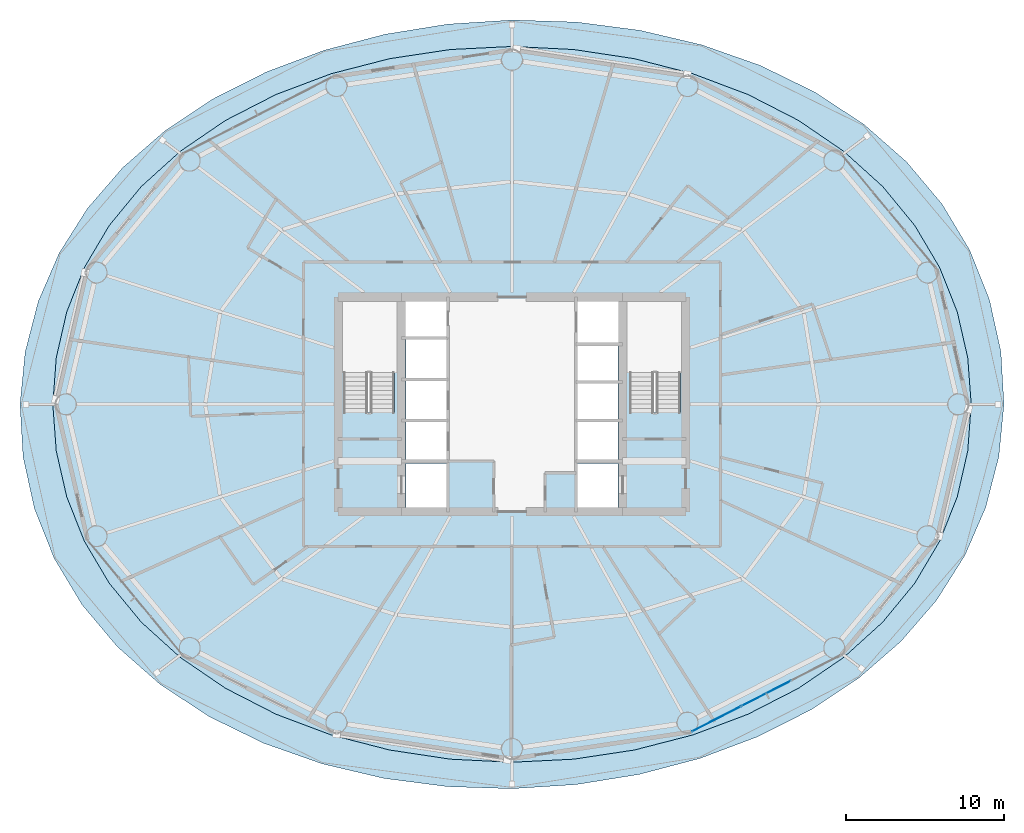
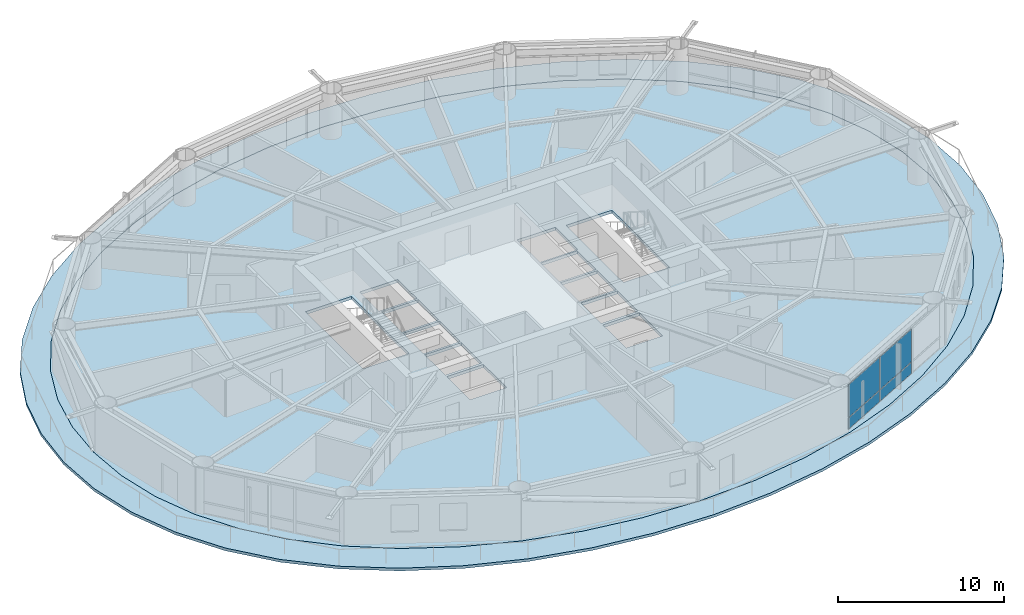
# One storey, part 15 of 24: 4 plates, 2 slabs, 1 element without a shape of its own.
"""IFC4 building model written with IfcOpenShell, lengths in metres."""

import ifcopenshell
import ifcopenshell.guid

model = None  # the IFC model being written
_history = None  # IfcOwnerHistory: only IFC2X3 demands one
_inside = {}  # id of a spatial element -> (the spatial element, [elements in it])
_under = {}  # id of a project, library or spatial element -> (it, [spatial elements below it])
_declared = {}  # id of a project -> (the project, [libraries it declares])
_typed = {}  # id of a type object -> (the type object, [elements of that type])
_made_of = {}  # id of a material, layer set ... -> (it, [elements and type objects made of it])


def new_model(schema):
    """Start an empty IFC model of exactly this schema.

    Asked for "IFC4X3", IfcOpenShell would pick the latest addendum, in which some entities
    have other attributes; the version numbers below select the first issue.
    IFC2X3 requires an IfcOwnerHistory on every rooted entity: one is made here for all.
    """
    global model, _history
    if schema == "IFC4X3":
        model = ifcopenshell.file(schema_version=(4, 3, 0, 0))
    else:
        model = ifcopenshell.file(schema=schema)
    _inside.clear()
    _under.clear()
    _declared.clear()
    _typed.clear()
    _made_of.clear()
    _history = None
    if model.schema == "IFC2X3":
        org = make("IfcOrganization", Name="unknown")
        user = make(
            "IfcPersonAndOrganization",
            ThePerson=make("IfcPerson", FamilyName="unknown"),
            TheOrganization=org,
        )
        app = make(
            "IfcApplication",
            ApplicationDeveloper=org,
            Version="unknown",
            ApplicationFullName="unknown",
            ApplicationIdentifier="unknown",
        )
        _history = make(
            "IfcOwnerHistory",
            OwningUser=user,
            OwningApplication=app,
            ChangeAction="ADDED",
            CreationDate=0,
        )
    return model


def make(cls, **values):
    """One entity of the class cls with the attributes given. An attribute that is None is left unset."""
    return model.create_entity(
        cls, **{name: value for name, value in values.items() if value is not None}
    )


def rooted(cls, **values):
    """An entity with a GlobalId (a new one), such as an element, a storey or a relation."""
    return make(cls, GlobalId=ifcopenshell.guid.new(), OwnerHistory=_history, **values)


def si_unit(unit_type, name, prefix=None):
    """IfcSIUnit, for example si_unit("LENGTHUNIT", "METRE", prefix="MILLI")."""
    return make("IfcSIUnit", UnitType=unit_type, Prefix=prefix, Name=name)


def assignment(units):
    """IfcUnitAssignment: the units of a project."""
    return None if units is None else make("IfcUnitAssignment", Units=units)


def point(xyz):
    """IfcCartesianPoint."""
    return None if xyz is None else make("IfcCartesianPoint", Coordinates=xyz)


def direction(xyz):
    """IfcDirection."""
    return None if xyz is None else make("IfcDirection", DirectionRatios=xyz)


def frame(location, z_axis=None, x_axis=None):
    """IfcAxis2Placement3D, a coordinate frame: its origin and axes. An axis left out is left unset."""
    return make(
        "IfcAxis2Placement3D",
        Location=point(location),
        Axis=direction(z_axis),
        RefDirection=direction(x_axis),
    )


def frame_2d(location, x_axis=None):
    """IfcAxis2Placement2D, a coordinate frame in the plane: its origin and x axis."""
    return make(
        "IfcAxis2Placement2D", Location=point(location), RefDirection=direction(x_axis)
    )


def origin():
    """The frame at (0, 0, 0) with its axes left unset."""
    return frame((0.0, 0.0, 0.0))


def origin_2d():
    """The frame at (0, 0) in the plane with its x axis left unset."""
    return frame_2d((0.0, 0.0))


def place(relative_to, where):
    """IfcLocalPlacement: puts the frame where relative to a parent placement (None: the world)."""
    return make(
        "IfcLocalPlacement", PlacementRelTo=relative_to, RelativePlacement=where
    )


def context(
    kind, dimensions, precision=None, world=None, true_north=None, identifier=None
):
    """IfcGeometricRepresentationContext, for example the 3D "Model" context."""
    return make(
        "IfcGeometricRepresentationContext",
        ContextIdentifier=identifier,
        ContextType=kind,
        CoordinateSpaceDimension=dimensions,
        Precision=precision,
        WorldCoordinateSystem=world,
        TrueNorth=true_north,
    )


def subcontext(parent, identifier, kind, view, scale=None):
    """IfcGeometricRepresentationSubContext, for example "Body" below "Model"."""
    return make(
        "IfcGeometricRepresentationSubContext",
        ContextIdentifier=identifier,
        ContextType=kind,
        ParentContext=parent,
        TargetScale=scale,
        TargetView=view,
    )


def project(units=None, contexts=None):
    """IfcProject with its units and contexts."""
    return rooted(
        "IfcProject",
        Name="project",
        RepresentationContexts=contexts,
        UnitsInContext=assignment(units),
    )


def spatial(cls, under=None, at=None, **own):
    """A site, building, storey or space (cls), placed at a placement, below another one or the project."""
    s = rooted(cls, ObjectPlacement=at, **own)
    if under is not None:
        _under.setdefault(under.id(), (under, []))[1].append(s)
    return s


def polyline(points):
    """IfcPolyline through the points."""
    return make("IfcPolyline", Points=[point(p) for p in points])


def profile(cls, at=None, kind="AREA", **sizes):
    """A parametric profile (cls). Its sizes go by their IFC names, for example OverallWidth=200.0."""
    return make(cls, ProfileType=kind, Position=at, **sizes)


def rectangle(**sizes):
    """IfcRectangleProfileDef."""
    return profile("IfcRectangleProfileDef", **sizes)


def outline(outer, holes=None, kind="AREA"):
    """IfcArbitraryClosedProfileDef: a profile drawn as a closed curve; with holes, ...WithVoids."""
    if holes is None:
        return make("IfcArbitraryClosedProfileDef", ProfileType=kind, OuterCurve=outer)
    return make(
        "IfcArbitraryProfileDefWithVoids",
        ProfileType=kind,
        OuterCurve=outer,
        InnerCurves=holes,
    )


def extrude(swept, where, along, depth):
    """IfcExtrudedAreaSolid: the profile swept, set in the frame where, extruded along a direction by depth."""
    return make(
        "IfcExtrudedAreaSolid",
        SweptArea=swept,
        Position=where,
        ExtrudedDirection=direction(along),
        Depth=depth,
    )


def shape(context_of_items, identifier, shape_type, items):
    """IfcShapeRepresentation: the items that make up one representation, for example the "Body"."""
    return make(
        "IfcShapeRepresentation",
        ContextOfItems=context_of_items,
        RepresentationIdentifier=identifier,
        RepresentationType=shape_type,
        Items=items,
    )


def material(Name=None, Category=None):
    """IfcMaterial."""
    return make("IfcMaterial", Name=Name, Category=Category)


def layer(
    of_material, thickness, ventilated=None, Name=None, Category=None, Priority=None
):
    """IfcMaterialLayer: one layer of a wall or slab, of a material (None: an air gap)."""
    return make(
        "IfcMaterialLayer",
        Material=of_material,
        LayerThickness=thickness,
        IsVentilated=ventilated,
        Name=Name,
        Category=Category,
        Priority=Priority,
    )


def layer_set(layers, Name=None):
    """IfcMaterialLayerSet."""
    return make("IfcMaterialLayerSet", MaterialLayers=layers, LayerSetName=Name)


def made_of(thing, what):
    """Note that an element or type object is made of a material, layer set ...; save() writes the relation."""
    if what is not None:
        _made_of.setdefault(what.id(), (what, []))[1].append(thing)
    return thing


def type_object(cls, material=None, **own):
    """A type object (cls), such as IfcWallType, which elements share."""
    return made_of(rooted(cls, **own), material)


def element(
    cls,
    number,
    at=None,
    inside=None,
    cuts=None,
    type_object=None,
    material=None,
    context=None,
    identifier="Body",
    shape_type=None,
    held_by="IfcProductDefinitionShape",
    body=None,
    shapes=None,
    **own,
):
    """One element of the class cls, such as IfcWall. Its Tag is "e" and its number.

    at: its placement. inside: the storey or other place that contains it. cuts: it is an
    opening in that element (IfcRelVoidsElement). A single representation is given by context,
    identifier, shape_type and body (its items); several are given by shapes. held_by: the class
    of the entity that holds the representations. save() writes the other relations.
    """
    e = rooted(cls, Tag="e%d" % number, ObjectPlacement=at, **own)
    if body is not None:
        shapes = [shape(context, identifier, shape_type, body)]
    if shapes is not None:
        e.Representation = make(held_by, Representations=shapes)
    if inside is not None:
        _inside.setdefault(inside.id(), (inside, []))[1].append(e)
    if cuts is not None:
        rooted(
            "IfcRelVoidsElement", RelatingBuildingElement=cuts, RelatedOpeningElement=e
        )
    if type_object is not None:
        _typed.setdefault(type_object.id(), (type_object, []))[1].append(e)
    return made_of(e, material)


def aggregate(whole, parts):
    """IfcRelAggregates: a whole, such as a stair, and the parts it consists of."""
    return rooted("IfcRelAggregates", RelatingObject=whole, RelatedObjects=parts)


def save(model, path):
    """Write the relations noted so far, then the file.

    IfcRelAggregates (storeys below a building ...), IfcRelContainedInSpatialStructure (elements
    in a storey), IfcRelDefinesByType, IfcRelAssociatesMaterial and IfcRelDeclares: one each for
    every whole, place, type object, material and project.
    """
    for whole, parts in _under.values():
        aggregate(whole, parts)
    for where, things in _inside.values():
        rooted(
            "IfcRelContainedInSpatialStructure",
            RelatedElements=things,
            RelatingStructure=where,
        )
    for kind, things in _typed.values():
        rooted("IfcRelDefinesByType", RelatedObjects=things, RelatingType=kind)
    for what, things in _made_of.values():
        rooted("IfcRelAssociatesMaterial", RelatedObjects=things, RelatingMaterial=what)
    for by, libraries in _declared.values():
        rooted("IfcRelDeclares", RelatingContext=by, RelatedDefinitions=libraries)
    model.write(path)


model = new_model("IFC4")

# Units and contexts
model_context = context("Model", 3, precision=1e-05, world=origin(), true_north=direction((0.0, 1.0)))
body_context = subcontext(model_context, "Body", "Model", "MODEL_VIEW")
ifc_project = project(units=[si_unit("LENGTHUNIT", "METRE"), si_unit("AREAUNIT", "SQUARE_METRE"), si_unit("VOLUMEUNIT", "CUBIC_METRE"), si_unit("PLANEANGLEUNIT", "RADIAN"), si_unit("MASSUNIT", "GRAM", prefix="KILO")], contexts=[model_context])

# Site, building, storey
site_placement = place(None, origin())
site = spatial("IfcSite", under=ifc_project, at=site_placement, CompositionType="ELEMENT")
building_placement = place(site_placement, origin())
building = spatial("IfcBuilding", under=site, at=building_placement, Name="Sarneth Arch Tower", CompositionType="ELEMENT")
storey_placement = place(building_placement, frame((0.0, 0.0, 123.60009765625)))
storey = spatial("IfcBuildingStorey", under=building, at=storey_placement, Name="L31", CompositionType="ELEMENT", Elevation=123.60009765625)

# Curtain wall, plates
ifc_material_1 = material(Name="Anodised aluminium Type AA25 and solar-control low-e laminated IGU", Category="aluminium")
ifc_layer_1 = layer(ifc_material_1, 0.159912109375)
ifc_layer_set_1 = layer_set([ifc_layer_1], Name="Anodised aluminium Type AA25 and solar-control low-e laminated IGU")
curtain_wall_type = type_object("IfcCurtainWallType", Name="CW-HOTEL-MID", PredefinedType="NOTDEFINED", material=ifc_layer_set_1)
curtain_wall_placement = place(storey_placement, origin())
curtain_wall = element("IfcCurtainWall", 1, at=curtain_wall_placement, inside=storey, type_object=curtain_wall_type, Name="L31 Unitised curtain wall facet 14", PredefinedType="NOTDEFINED")
ifc_material_2 = material(Name="Solar-control low-e laminated IGU", Category="glass")
ifc_layer_2 = layer(ifc_material_2, 0.028076171875)
ifc_layer_set_2 = layer_set([ifc_layer_2], Name="Solar-control low-e laminated IGU")
plate_type = type_object("IfcPlateType", Name="CW-PANEL", PredefinedType="CURTAIN_PANEL", material=ifc_layer_set_2)
plate_1_placement = place(storey_placement, frame((60.946044921875, 22.094482421875, 0.059814453125), z_axis=(0.0, 0.0, 1.0), x_axis=(0.889963703649, 0.456031365356, 0.0)))
plate_1 = element("IfcPlate", 2, at=plate_1_placement, type_object=plate_type, Name="Curtain wall glazed vision pane CW-L31-F14/P00-00", PredefinedType="CURTAIN_PANEL", context=body_context, shape_type="SweptSolid", body=[
    extrude(rectangle(XDim=3.464111328125, YDim=0.028076171875, at=origin_2d()), origin(), (0.0, 0.0, 1.0), 0.81005859375),
])
plate_2_placement = place(storey_placement, frame((60.946044921875, 22.094482421875, 0.93017578125), z_axis=(0.0, 0.0, 1.0), x_axis=(0.889963703649, 0.456031365356, 0.0)))
plate_2 = element("IfcPlate", 3, at=plate_2_placement, type_object=plate_type, Name="Curtain wall glazed vision pane CW-L31-F14/P00-01", PredefinedType="CURTAIN_PANEL", context=body_context, shape_type="SweptSolid", body=[
    extrude(rectangle(XDim=3.464111328125, YDim=0.028076171875, at=origin_2d()), origin(), (0.0, 0.0, 1.0), 2.389892578125),
])
plate_3_placement = place(storey_placement, frame((64.095703125, 23.70849609375, 0.059814453125), z_axis=(0.0, 0.0, 1.0), x_axis=(0.889963703649, 0.456031365356, 0.0)))
plate_3 = element("IfcPlate", 4, at=plate_3_placement, type_object=plate_type, Name="Curtain wall glazed vision pane CW-L31-F14/P01-00", PredefinedType="CURTAIN_PANEL", context=body_context, shape_type="SweptSolid", body=[
    extrude(rectangle(XDim=3.493896484375, YDim=0.028076171875, at=origin_2d()), origin(), (0.0, 0.0, 1.0), 0.81005859375),
])
plate_4_placement = place(storey_placement, frame((64.095703125, 23.70849609375, 0.93017578125), z_axis=(0.0, 0.0, 1.0), x_axis=(0.889963703649, 0.456031365356, 0.0)))
plate_4 = element("IfcPlate", 5, at=plate_4_placement, type_object=plate_type, Name="Curtain wall glazed vision pane CW-L31-F14/P01-01", PredefinedType="CURTAIN_PANEL", context=body_context, shape_type="SweptSolid", body=[
    extrude(rectangle(XDim=3.493896484375, YDim=0.028076171875, at=origin_2d()), origin(), (0.0, 0.0, 1.0), 2.389892578125),
])
aggregate(curtain_wall, [plate_1, plate_2, plate_3, plate_4])

# Slabs
ifc_material_3 = material(Name="Concrete C50/60", Category="concrete")
ifc_layer_3 = layer(ifc_material_3, 0.199951171875)
ifc_layer_set_3 = layer_set([ifc_layer_3], Name="Concrete C50/60")
slab_type_1 = type_object("IfcSlabType", Name="SLAB-BALC-200", PredefinedType="FLOOR", material=ifc_layer_set_3)
slab_1_placement = place(storey_placement, frame((0.0, 0.0, -0.2001953125)))
element("IfcSlab", 6, at=slab_1_placement, inside=storey, type_object=slab_type_1, Name="L31 Helical balcony band slab", PredefinedType="FLOOR", context=body_context, shape_type="SweptSolid", body=[
    extrude(outline(polyline([(79.137939453125, 42.0), (78.943603515625, 45.331787109375), (78.22314453125, 48.60400390625), (76.979248046875, 51.73876953125), (75.223388671875, 54.669921875), (72.97705078125, 57.34423828125), (70.275634765625, 59.718994140625), (67.16943359375, 61.76123046875), (63.722900390625, 63.4453125), (60.00830078125, 64.752685546875), (56.1015625, 65.67138671875), (52.076171875, 66.195556640625), (48.0, 66.324951171875), (43.93701171875, 66.063720703125), (39.94921875, 65.42041015625), (36.10009765625, 64.4072265625), (32.45458984375, 63.038818359375), (29.078369140625, 61.333251953125), (26.0322265625, 59.309814453125), (23.36865234375, 56.990234375), (21.12744140625, 54.3984375), (19.3369140625, 51.562255859375), (18.017578125, 48.516845703125), (17.18701171875, 45.308349609375), (16.862060546875, 42.0), (17.056396484375, 38.668212890625), (17.77685546875, 35.39599609375), (19.020751953125, 32.26123046875), (20.776611328125, 29.330078125), (23.02294921875, 26.65576171875), (25.724365234375, 24.281005859375), (28.83056640625, 22.23876953125), (32.277099609375, 20.5546875), (35.99169921875, 19.247314453125), (39.8984375, 18.32861328125), (43.923828125, 17.804443359375), (48.0, 17.675048828125), (52.06298828125, 17.936279296875), (56.05078125, 18.57958984375), (59.89990234375, 19.5927734375), (63.54541015625, 20.961181640625), (66.921630859375, 22.666748046875), (69.9677734375, 24.690185546875), (72.63134765625, 27.009765625), (74.87255859375, 29.6015625), (76.6630859375, 32.437744140625), (77.982421875, 35.483154296875), (78.81298828125, 38.691650390625), (79.137939453125, 42.0)]), holes=[polyline([(77.062744140625, 42.0), (76.84228515625, 44.956298828125), (76.17724609375, 47.8623046875), (75.060546875, 50.667724609375), (73.486328125, 53.324951171875), (71.458251953125, 55.788330078125), (68.994384765625, 58.015869140625), (66.132080078125, 59.969482421875), (62.923828125, 61.615478515625), (59.435302734375, 62.92578125), (55.73779296875, 63.878173828125), (51.902587890625, 64.456298828125), (48.0, 64.64990234375), (44.097412109375, 64.456298828125), (40.26220703125, 63.878173828125), (36.564697265625, 62.92578125), (33.076171875, 61.615478515625), (29.867919921875, 59.969482421875), (27.005615234375, 58.015869140625), (24.541748046875, 55.788330078125), (22.513671875, 53.324951171875), (20.939453125, 50.667724609375), (19.82275390625, 47.8623046875), (19.15771484375, 44.956298828125), (18.937255859375, 42.0), (19.15771484375, 39.043701171875), (19.82275390625, 36.1376953125), (20.939453125, 33.332275390625), (22.513671875, 30.675048828125), (24.541748046875, 28.211669921875), (27.005615234375, 25.984130859375), (29.867919921875, 24.030517578125), (33.076171875, 22.384521484375), (36.564697265625, 21.07421875), (40.26220703125, 20.121826171875), (44.097412109375, 19.543701171875), (48.0, 19.35009765625), (51.902587890625, 19.543701171875), (55.73779296875, 20.121826171875), (59.435302734375, 21.07421875), (62.923828125, 22.384521484375), (66.132080078125, 24.030517578125), (68.994384765625, 25.984130859375), (71.458251953125, 28.211669921875), (73.486328125, 30.675048828125), (75.060546875, 33.332275390625), (76.17724609375, 36.1376953125), (76.84228515625, 39.043701171875), (77.062744140625, 42.0)])]), origin(), (0.0, 0.0, 1.0), 0.2001953125),
])
ifc_material_4 = material(Name="Concrete C50/60", Category="concrete")
ifc_layer_4 = layer(ifc_material_4, 0.219970703125)
ifc_layer_set_4 = layer_set([ifc_layer_4], Name="Concrete C50/60")
slab_type_2 = type_object("IfcSlabType", Name="SLAB-TOWER-220", PredefinedType="FLOOR", material=ifc_layer_set_4)
slab_2_placement = place(storey_placement, frame((0.0, 0.0, -0.22021484375)))
element("IfcSlab", 7, at=slab_2_placement, inside=storey, type_object=slab_type_2, Name="L31 Elliptical floor slab", PredefinedType="FLOOR", context=body_context, shape_type="SweptSolid", body=[
    extrude(outline(polyline([(77.062744140625, 42.0), (76.84228515625, 44.956298828125), (76.17724609375, 47.8623046875), (75.060546875, 50.667724609375), (73.486328125, 53.324951171875), (71.458251953125, 55.788330078125), (68.994384765625, 58.015869140625), (66.132080078125, 59.969482421875), (62.923828125, 61.615478515625), (59.435302734375, 62.92578125), (55.73779296875, 63.878173828125), (51.902587890625, 64.456298828125), (48.0, 64.64990234375), (44.097412109375, 64.456298828125), (40.26220703125, 63.878173828125), (36.564697265625, 62.92578125), (33.076171875, 61.615478515625), (29.867919921875, 59.969482421875), (27.005615234375, 58.015869140625), (24.541748046875, 55.788330078125), (22.513671875, 53.324951171875), (20.939453125, 50.667724609375), (19.82275390625, 47.8623046875), (19.15771484375, 44.956298828125), (18.937255859375, 42.0), (19.15771484375, 39.043701171875), (19.82275390625, 36.1376953125), (20.939453125, 33.332275390625), (22.513671875, 30.675048828125), (24.541748046875, 28.211669921875), (27.005615234375, 25.984130859375), (29.867919921875, 24.030517578125), (33.076171875, 22.384521484375), (36.564697265625, 21.07421875), (40.26220703125, 20.121826171875), (44.097412109375, 19.543701171875), (48.0, 19.35009765625), (51.902587890625, 19.543701171875), (55.73779296875, 20.121826171875), (59.435302734375, 21.07421875), (62.923828125, 22.384521484375), (66.132080078125, 24.030517578125), (68.994384765625, 25.984130859375), (71.458251953125, 28.211669921875), (73.486328125, 30.675048828125), (75.060546875, 33.332275390625), (76.17724609375, 36.1376953125), (76.84228515625, 39.043701171875), (77.062744140625, 42.0)]), holes=[polyline([(37.35009765625, 41.489990234375), (40.550048828125, 41.489990234375), (40.550048828125, 48.39990234375), (37.35009765625, 48.39990234375), (37.35009765625, 41.489990234375)]), polyline([(55.449951171875, 41.489990234375), (58.64990234375, 41.489990234375), (58.64990234375, 48.39990234375), (55.449951171875, 48.39990234375), (55.449951171875, 41.489990234375)]), polyline([(41.199951171875, 46.25), (43.85009765625, 46.25), (43.85009765625, 48.550048828125), (41.199951171875, 48.550048828125), (41.199951171875, 46.25)]), polyline([(41.300048828125, 35.449951171875), (43.85009765625, 35.449951171875), (43.85009765625, 38.25), (41.300048828125, 38.25), (41.300048828125, 35.449951171875)]), polyline([(52.14990234375, 35.449951171875), (54.699951171875, 35.449951171875), (54.699951171875, 38.25), (52.14990234375, 38.25), (52.14990234375, 35.449951171875)]), polyline([(52.14990234375, 45.85009765625), (54.800048828125, 45.85009765625), (54.800048828125, 48.550048828125), (52.14990234375, 48.550048828125), (52.14990234375, 45.85009765625)]), polyline([(41.300048828125, 38.449951171875), (43.85009765625, 38.449951171875), (43.85009765625, 40.89990234375), (41.300048828125, 40.89990234375), (41.300048828125, 38.449951171875)]), polyline([(41.300048828125, 41.050048828125), (43.85009765625, 41.050048828125), (43.85009765625, 43.5), (41.300048828125, 43.5), (41.300048828125, 41.050048828125)]), polyline([(41.300048828125, 43.64990234375), (43.85009765625, 43.64990234375), (43.85009765625, 46.10009765625), (41.300048828125, 46.10009765625), (41.300048828125, 43.64990234375)]), polyline([(52.14990234375, 38.449951171875), (54.699951171875, 38.449951171875), (54.699951171875, 40.89990234375), (52.14990234375, 40.89990234375), (52.14990234375, 38.449951171875)]), polyline([(52.14990234375, 41.050048828125), (54.699951171875, 41.050048828125), (54.699951171875, 43.35009765625), (52.14990234375, 43.35009765625), (52.14990234375, 41.050048828125)]), polyline([(52.14990234375, 43.5), (54.699951171875, 43.5), (54.699951171875, 45.75), (52.14990234375, 45.75), (52.14990234375, 43.5)])]), origin(), (0.0, 0.0, 1.0), 0.22021484375),
])

save(model, "model.ifc")
